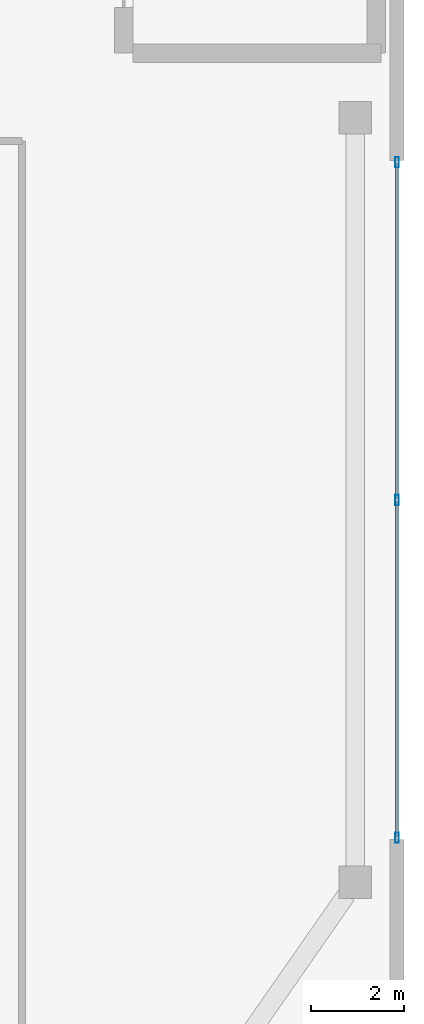
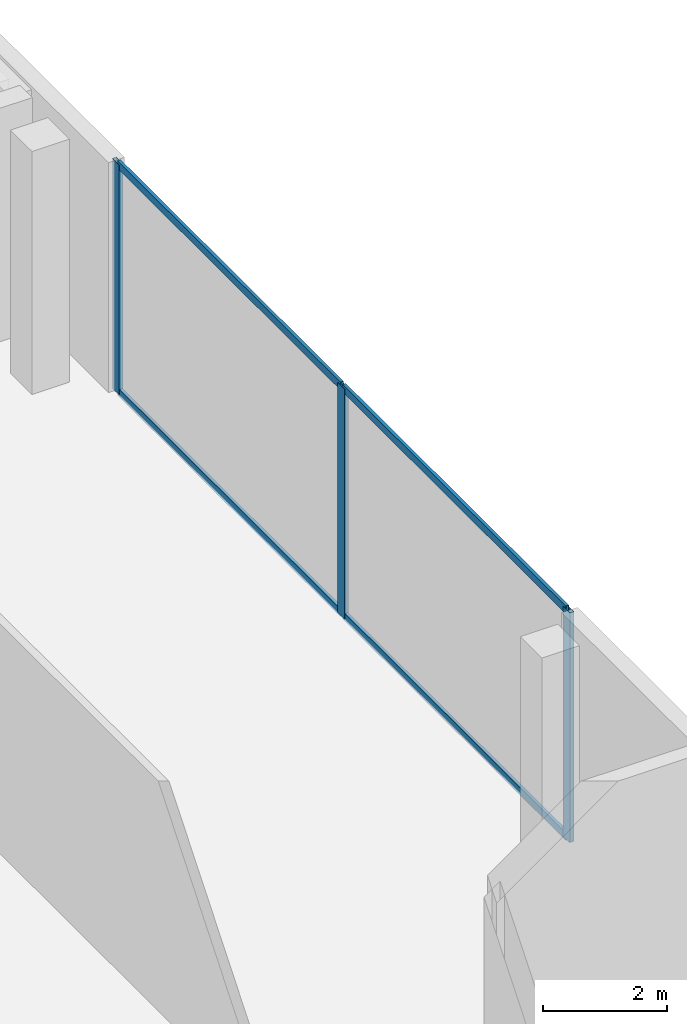
# One storey, part 22 of 33: 7 members, 1 element without a shape of its own.
"""IFC4 building model written with IfcOpenShell, lengths in metres."""

import ifcopenshell
import ifcopenshell.guid

model = None  # the IFC model being written
_history = None  # IfcOwnerHistory: only IFC2X3 demands one
_inside = {}  # id of a spatial element -> (the spatial element, [elements in it])
_under = {}  # id of a project, library or spatial element -> (it, [spatial elements below it])
_declared = {}  # id of a project -> (the project, [libraries it declares])
_typed = {}  # id of a type object -> (the type object, [elements of that type])
_made_of = {}  # id of a material, layer set ... -> (it, [elements and type objects made of it])


def new_model(schema):
    """Start an empty IFC model of exactly this schema.

    Asked for "IFC4X3", IfcOpenShell would pick the latest addendum, in which some entities
    have other attributes; the version numbers below select the first issue.
    IFC2X3 requires an IfcOwnerHistory on every rooted entity: one is made here for all.
    """
    global model, _history
    if schema == "IFC4X3":
        model = ifcopenshell.file(schema_version=(4, 3, 0, 0))
    else:
        model = ifcopenshell.file(schema=schema)
    _inside.clear()
    _under.clear()
    _declared.clear()
    _typed.clear()
    _made_of.clear()
    _history = None
    if model.schema == "IFC2X3":
        org = make("IfcOrganization", Name="unknown")
        user = make(
            "IfcPersonAndOrganization",
            ThePerson=make("IfcPerson", FamilyName="unknown"),
            TheOrganization=org,
        )
        app = make(
            "IfcApplication",
            ApplicationDeveloper=org,
            Version="unknown",
            ApplicationFullName="unknown",
            ApplicationIdentifier="unknown",
        )
        _history = make(
            "IfcOwnerHistory",
            OwningUser=user,
            OwningApplication=app,
            ChangeAction="ADDED",
            CreationDate=0,
        )
    return model


def make(cls, **values):
    """One entity of the class cls with the attributes given. An attribute that is None is left unset."""
    return model.create_entity(
        cls, **{name: value for name, value in values.items() if value is not None}
    )


def rooted(cls, **values):
    """An entity with a GlobalId (a new one), such as an element, a storey or a relation."""
    return make(cls, GlobalId=ifcopenshell.guid.new(), OwnerHistory=_history, **values)


def si_unit(unit_type, name, prefix=None):
    """IfcSIUnit, for example si_unit("LENGTHUNIT", "METRE", prefix="MILLI")."""
    return make("IfcSIUnit", UnitType=unit_type, Prefix=prefix, Name=name)


def assignment(units):
    """IfcUnitAssignment: the units of a project."""
    return None if units is None else make("IfcUnitAssignment", Units=units)


def point(xyz):
    """IfcCartesianPoint."""
    return None if xyz is None else make("IfcCartesianPoint", Coordinates=xyz)


def direction(xyz):
    """IfcDirection."""
    return None if xyz is None else make("IfcDirection", DirectionRatios=xyz)


def frame(location, z_axis=None, x_axis=None):
    """IfcAxis2Placement3D, a coordinate frame: its origin and axes. An axis left out is left unset."""
    return make(
        "IfcAxis2Placement3D",
        Location=point(location),
        Axis=direction(z_axis),
        RefDirection=direction(x_axis),
    )


def frame_2d(location, x_axis=None):
    """IfcAxis2Placement2D, a coordinate frame in the plane: its origin and x axis."""
    return make(
        "IfcAxis2Placement2D", Location=point(location), RefDirection=direction(x_axis)
    )


def origin():
    """The frame at (0, 0, 0) with its axes left unset."""
    return frame((0.0, 0.0, 0.0))


def origin_2d():
    """The frame at (0, 0) in the plane with its x axis left unset."""
    return frame_2d((0.0, 0.0))


def place(relative_to, where):
    """IfcLocalPlacement: puts the frame where relative to a parent placement (None: the world)."""
    return make(
        "IfcLocalPlacement", PlacementRelTo=relative_to, RelativePlacement=where
    )


def context(
    kind, dimensions, precision=None, world=None, true_north=None, identifier=None
):
    """IfcGeometricRepresentationContext, for example the 3D "Model" context."""
    return make(
        "IfcGeometricRepresentationContext",
        ContextIdentifier=identifier,
        ContextType=kind,
        CoordinateSpaceDimension=dimensions,
        Precision=precision,
        WorldCoordinateSystem=world,
        TrueNorth=true_north,
    )


def subcontext(parent, identifier, kind, view, scale=None):
    """IfcGeometricRepresentationSubContext, for example "Body" below "Model"."""
    return make(
        "IfcGeometricRepresentationSubContext",
        ContextIdentifier=identifier,
        ContextType=kind,
        ParentContext=parent,
        TargetScale=scale,
        TargetView=view,
    )


def project(units=None, contexts=None):
    """IfcProject with its units and contexts."""
    return rooted(
        "IfcProject",
        Name="project",
        RepresentationContexts=contexts,
        UnitsInContext=assignment(units),
    )


def spatial(cls, under=None, at=None, **own):
    """A site, building, storey or space (cls), placed at a placement, below another one or the project."""
    s = rooted(cls, ObjectPlacement=at, **own)
    if under is not None:
        _under.setdefault(under.id(), (under, []))[1].append(s)
    return s


def profile(cls, at=None, kind="AREA", **sizes):
    """A parametric profile (cls). Its sizes go by their IFC names, for example OverallWidth=200.0."""
    return make(cls, ProfileType=kind, Position=at, **sizes)


def hollow_rectangle(**sizes):
    """IfcRectangleHollowProfileDef."""
    return profile("IfcRectangleHollowProfileDef", **sizes)


def extrude(swept, where, along, depth):
    """IfcExtrudedAreaSolid: the profile swept, set in the frame where, extruded along a direction by depth."""
    return make(
        "IfcExtrudedAreaSolid",
        SweptArea=swept,
        Position=where,
        ExtrudedDirection=direction(along),
        Depth=depth,
    )


def shape(context_of_items, identifier, shape_type, items):
    """IfcShapeRepresentation: the items that make up one representation, for example the "Body"."""
    return make(
        "IfcShapeRepresentation",
        ContextOfItems=context_of_items,
        RepresentationIdentifier=identifier,
        RepresentationType=shape_type,
        Items=items,
    )


def material(Name=None, Category=None):
    """IfcMaterial."""
    return make("IfcMaterial", Name=Name, Category=Category)


def layer(
    of_material, thickness, ventilated=None, Name=None, Category=None, Priority=None
):
    """IfcMaterialLayer: one layer of a wall or slab, of a material (None: an air gap)."""
    return make(
        "IfcMaterialLayer",
        Material=of_material,
        LayerThickness=thickness,
        IsVentilated=ventilated,
        Name=Name,
        Category=Category,
        Priority=Priority,
    )


def layer_set(layers, Name=None):
    """IfcMaterialLayerSet."""
    return make("IfcMaterialLayerSet", MaterialLayers=layers, LayerSetName=Name)


def material_profile(
    of_material, cross_section, Name=None, Category=None, Priority=None
):
    """IfcMaterialProfile: a cross section and its material."""
    return make(
        "IfcMaterialProfile",
        Name=Name,
        Material=of_material,
        Profile=cross_section,
        Priority=Priority,
        Category=Category,
    )


def profile_set(profiles, Name=None, composite=None):
    """IfcMaterialProfileSet."""
    return make(
        "IfcMaterialProfileSet",
        Name=Name,
        MaterialProfiles=profiles,
        CompositeProfile=composite,
    )


def made_of(thing, what):
    """Note that an element or type object is made of a material, layer set ...; save() writes the relation."""
    if what is not None:
        _made_of.setdefault(what.id(), (what, []))[1].append(thing)
    return thing


def type_object(cls, material=None, **own):
    """A type object (cls), such as IfcWallType, which elements share."""
    return made_of(rooted(cls, **own), material)


def element(
    cls,
    number,
    at=None,
    inside=None,
    cuts=None,
    type_object=None,
    material=None,
    context=None,
    identifier="Body",
    shape_type=None,
    held_by="IfcProductDefinitionShape",
    body=None,
    shapes=None,
    **own,
):
    """One element of the class cls, such as IfcWall. Its Tag is "e" and its number.

    at: its placement. inside: the storey or other place that contains it. cuts: it is an
    opening in that element (IfcRelVoidsElement). A single representation is given by context,
    identifier, shape_type and body (its items); several are given by shapes. held_by: the class
    of the entity that holds the representations. save() writes the other relations.
    """
    e = rooted(cls, Tag="e%d" % number, ObjectPlacement=at, **own)
    if body is not None:
        shapes = [shape(context, identifier, shape_type, body)]
    if shapes is not None:
        e.Representation = make(held_by, Representations=shapes)
    if inside is not None:
        _inside.setdefault(inside.id(), (inside, []))[1].append(e)
    if cuts is not None:
        rooted(
            "IfcRelVoidsElement", RelatingBuildingElement=cuts, RelatedOpeningElement=e
        )
    if type_object is not None:
        _typed.setdefault(type_object.id(), (type_object, []))[1].append(e)
    return made_of(e, material)


def aggregate(whole, parts):
    """IfcRelAggregates: a whole, such as a stair, and the parts it consists of."""
    return rooted("IfcRelAggregates", RelatingObject=whole, RelatedObjects=parts)


def save(model, path):
    """Write the relations noted so far, then the file.

    IfcRelAggregates (storeys below a building ...), IfcRelContainedInSpatialStructure (elements
    in a storey), IfcRelDefinesByType, IfcRelAssociatesMaterial and IfcRelDeclares: one each for
    every whole, place, type object, material and project.
    """
    for whole, parts in _under.values():
        aggregate(whole, parts)
    for where, things in _inside.values():
        rooted(
            "IfcRelContainedInSpatialStructure",
            RelatedElements=things,
            RelatingStructure=where,
        )
    for kind, things in _typed.values():
        rooted("IfcRelDefinesByType", RelatedObjects=things, RelatingType=kind)
    for what, things in _made_of.values():
        rooted("IfcRelAssociatesMaterial", RelatedObjects=things, RelatingMaterial=what)
    for by, libraries in _declared.values():
        rooted("IfcRelDeclares", RelatingContext=by, RelatedDefinitions=libraries)
    model.write(path)


model = new_model("IFC4")

# Units and contexts
model_context = context("Model", 3, precision=1e-05, world=origin(), true_north=direction((0.0, 1.0)))
body_context = subcontext(model_context, "Body", "Model", "MODEL_VIEW")
ifc_project = project(units=[si_unit("LENGTHUNIT", "METRE"), si_unit("AREAUNIT", "SQUARE_METRE"), si_unit("VOLUMEUNIT", "CUBIC_METRE"), si_unit("PLANEANGLEUNIT", "RADIAN"), si_unit("MASSUNIT", "GRAM", prefix="KILO")], contexts=[model_context])

# Site, building, storey
site_placement = place(None, origin())
site = spatial("IfcSite", under=ifc_project, at=site_placement, CompositionType="ELEMENT")
building_placement = place(site_placement, origin())
building = spatial("IfcBuilding", under=site, at=building_placement, Name="Zuhayl Quay Hotel", CompositionType="ELEMENT")
storey_placement = place(building_placement, frame((0.0, 0.0, 18.0)))
storey = spatial("IfcBuildingStorey", under=building, at=storey_placement, Name="L03", CompositionType="ELEMENT", Elevation=18.0)

# Curtain wall, members
ifc_material_1 = material(Name="Anodised Aluminium 6063-T6", Category="aluminium")
ifc_layer = layer(ifc_material_1, 0.199951171875, Name="Anodised Aluminium 6063-T6", Category="aluminium")
ifc_layer_set = layer_set([ifc_layer], Name="Anodised Aluminium 6063-T6")
curtain_wall_type = type_object("IfcCurtainWallType", Name="CW_SYS_POD", PredefinedType="USERDEFINED", material=ifc_layer_set)
curtain_wall_placement = place(storey_placement, origin())
curtain_wall = element("IfcCurtainWall", 1, at=curtain_wall_placement, inside=storey, type_object=curtain_wall_type, Name="L03 Curtain Wall ENV_L03_E08_CW3", ObjectType="UNITISED CURTAIN WALL", PredefinedType="USERDEFINED")
ifc_material_2 = material(Name="Black-anodised aluminium 6063-T6", Category="aluminium")
ifc_material_profile_1 = material_profile(ifc_material_2, hollow_rectangle(XDim=0.074951171875, YDim=0.219970703125, WallThickness=0.00390625, at=origin_2d()), Name="ALU220X75")
ifc_profile_set_1 = profile_set([ifc_material_profile_1], Name="Black-anodised aluminium 6063-T6")
member_type_1 = type_object("IfcMemberType", Name="MB_CW_MUL_220", PredefinedType="MULLION", material=ifc_profile_set_1)
member_1_placement = place(storey_placement, frame((36.0, -0.95751953125, 0.0), z_axis=(0.0, 0.0, 1.0), x_axis=(1.0, 0.0, 0.0)))
member_1 = element("IfcMember", 2, at=member_1_placement, type_object=member_type_1, Name="CW-POD mullion 1", PredefinedType="MULLION", context=body_context, shape_type="SweptSolid", body=[
    extrude(hollow_rectangle(XDim=0.074951171875, YDim=0.219970703125, WallThickness=0.00390625, at=origin_2d()), origin(), (0.0, 0.0, 1.0), 4.5400390625),
])
member_2_placement = place(storey_placement, frame((36.0, -8.25, 0.0), z_axis=(0.0, 0.0, 1.0), x_axis=(1.0, 0.0, 0.0)))
member_2 = element("IfcMember", 3, at=member_2_placement, type_object=member_type_1, Name="CW-POD mullion 2", PredefinedType="MULLION", context=body_context, shape_type="SweptSolid", body=[
    extrude(hollow_rectangle(XDim=0.074951171875, YDim=0.219970703125, WallThickness=0.00390625, at=origin_2d()), origin(), (0.0, 0.0, 1.0), 4.5400390625),
])
member_3_placement = place(storey_placement, frame((36.0, -15.54248046875, 0.0), z_axis=(0.0, 0.0, 1.0), x_axis=(1.0, 0.0, 0.0)))
member_3 = element("IfcMember", 4, at=member_3_placement, type_object=member_type_1, Name="CW-POD mullion 3", PredefinedType="MULLION", context=body_context, shape_type="SweptSolid", body=[
    extrude(hollow_rectangle(XDim=0.074951171875, YDim=0.219970703125, WallThickness=0.00390625, at=origin_2d()), origin(), (0.0, 0.0, 1.0), 4.5400390625),
])
ifc_material_profile_2 = material_profile(ifc_material_2, hollow_rectangle(XDim=0.06005859375, YDim=0.14990234375, WallThickness=0.00341796875, at=origin_2d()), Name="ALU150X60")
ifc_profile_set_2 = profile_set([ifc_material_profile_2], Name="Black-anodised aluminium 6063-T6")
member_type_2 = type_object("IfcMemberType", Name="MB_CW_TRN_150", PredefinedType="USERDEFINED", material=ifc_profile_set_2)
member_4_placement = place(storey_placement, frame((36.0, -0.9951171875, 0.030029296875), z_axis=(0.0, -1.0, 0.0), x_axis=(1.0, 0.0, 0.0)))
member_4 = element("IfcMember", 5, at=member_4_placement, type_object=member_type_2, Name="CW-POD transom 1.1", ObjectType="TRANSOM", PredefinedType="USERDEFINED", context=body_context, shape_type="SweptSolid", body=[
    extrude(hollow_rectangle(XDim=0.06005859375, YDim=0.14990234375, WallThickness=0.00341796875, at=origin_2d()), origin(), (0.0, 0.0, 1.0), 7.21728515625),
])
member_5_placement = place(storey_placement, frame((36.0, -0.9951171875, 4.510009765625), z_axis=(0.0, -1.0, 0.0), x_axis=(1.0, 0.0, 0.0)))
member_5 = element("IfcMember", 6, at=member_5_placement, type_object=member_type_2, Name="CW-POD transom 1.2", ObjectType="TRANSOM", PredefinedType="USERDEFINED", context=body_context, shape_type="SweptSolid", body=[
    extrude(hollow_rectangle(XDim=0.06005859375, YDim=0.14990234375, WallThickness=0.00341796875, at=origin_2d()), origin(), (0.0, 0.0, 1.0), 7.21728515625),
])
member_6_placement = place(storey_placement, frame((36.0, -8.28759765625, 0.030029296875), z_axis=(0.0, -1.0, 0.0), x_axis=(1.0, 0.0, 0.0)))
member_6 = element("IfcMember", 7, at=member_6_placement, type_object=member_type_2, Name="CW-POD transom 2.1", ObjectType="TRANSOM", PredefinedType="USERDEFINED", context=body_context, shape_type="SweptSolid", body=[
    extrude(hollow_rectangle(XDim=0.06005859375, YDim=0.14990234375, WallThickness=0.00341796875, at=origin_2d()), origin(), (0.0, 0.0, 1.0), 7.21728515625),
])
member_7_placement = place(storey_placement, frame((36.0, -8.28759765625, 4.510009765625), z_axis=(0.0, -1.0, 0.0), x_axis=(1.0, 0.0, 0.0)))
member_7 = element("IfcMember", 8, at=member_7_placement, type_object=member_type_2, Name="CW-POD transom 2.2", ObjectType="TRANSOM", PredefinedType="USERDEFINED", context=body_context, shape_type="SweptSolid", body=[
    extrude(hollow_rectangle(XDim=0.06005859375, YDim=0.14990234375, WallThickness=0.00341796875, at=origin_2d()), origin(), (0.0, 0.0, 1.0), 7.21728515625),
])
aggregate(curtain_wall, [member_1, member_2, member_3, member_4, member_5, member_6, member_7])

save(model, "model.ifc")
